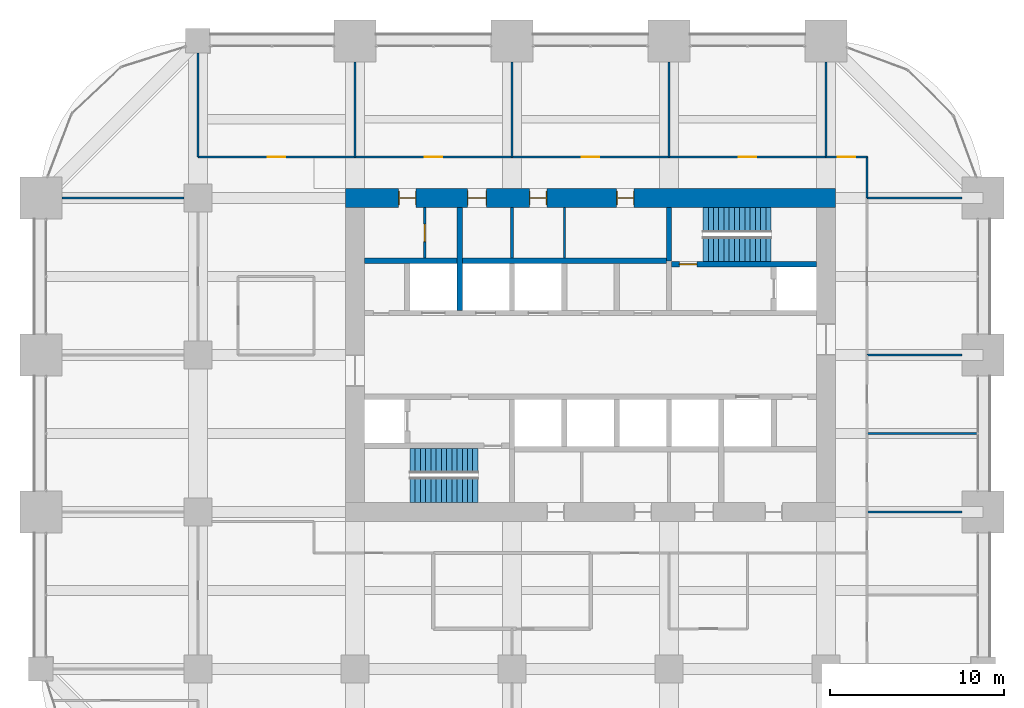
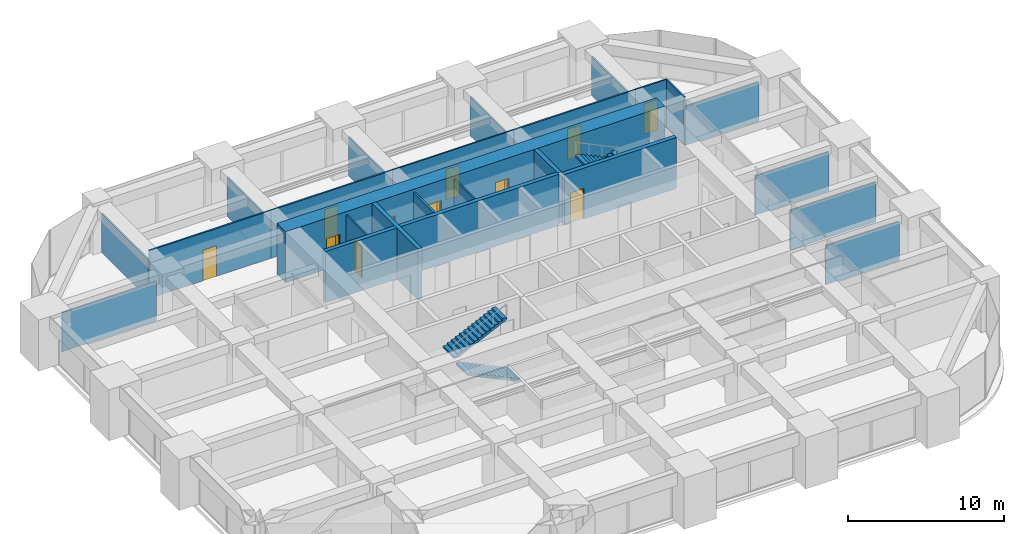
# One storey, part 31 of 32: 24 walls, 11 doors, 4 stair flights, 11 openings, 2 elements without a shape of their own.
"""IFC4 building model written with IfcOpenShell, lengths in metres."""

import ifcopenshell
import ifcopenshell.guid

model = None  # the IFC model being written
_history = None  # IfcOwnerHistory: only IFC2X3 demands one
_inside = {}  # id of a spatial element -> (the spatial element, [elements in it])
_under = {}  # id of a project, library or spatial element -> (it, [spatial elements below it])
_declared = {}  # id of a project -> (the project, [libraries it declares])
_typed = {}  # id of a type object -> (the type object, [elements of that type])
_made_of = {}  # id of a material, layer set ... -> (it, [elements and type objects made of it])


def new_model(schema):
    """Start an empty IFC model of exactly this schema.

    Asked for "IFC4X3", IfcOpenShell would pick the latest addendum, in which some entities
    have other attributes; the version numbers below select the first issue.
    IFC2X3 requires an IfcOwnerHistory on every rooted entity: one is made here for all.
    """
    global model, _history
    if schema == "IFC4X3":
        model = ifcopenshell.file(schema_version=(4, 3, 0, 0))
    else:
        model = ifcopenshell.file(schema=schema)
    _inside.clear()
    _under.clear()
    _declared.clear()
    _typed.clear()
    _made_of.clear()
    _history = None
    if model.schema == "IFC2X3":
        org = make("IfcOrganization", Name="unknown")
        user = make(
            "IfcPersonAndOrganization",
            ThePerson=make("IfcPerson", FamilyName="unknown"),
            TheOrganization=org,
        )
        app = make(
            "IfcApplication",
            ApplicationDeveloper=org,
            Version="unknown",
            ApplicationFullName="unknown",
            ApplicationIdentifier="unknown",
        )
        _history = make(
            "IfcOwnerHistory",
            OwningUser=user,
            OwningApplication=app,
            ChangeAction="ADDED",
            CreationDate=0,
        )
    return model


def make(cls, **values):
    """One entity of the class cls with the attributes given. An attribute that is None is left unset."""
    return model.create_entity(
        cls, **{name: value for name, value in values.items() if value is not None}
    )


def rooted(cls, **values):
    """An entity with a GlobalId (a new one), such as an element, a storey or a relation."""
    return make(cls, GlobalId=ifcopenshell.guid.new(), OwnerHistory=_history, **values)


def si_unit(unit_type, name, prefix=None):
    """IfcSIUnit, for example si_unit("LENGTHUNIT", "METRE", prefix="MILLI")."""
    return make("IfcSIUnit", UnitType=unit_type, Prefix=prefix, Name=name)


def assignment(units):
    """IfcUnitAssignment: the units of a project."""
    return None if units is None else make("IfcUnitAssignment", Units=units)


def point(xyz):
    """IfcCartesianPoint."""
    return None if xyz is None else make("IfcCartesianPoint", Coordinates=xyz)


def direction(xyz):
    """IfcDirection."""
    return None if xyz is None else make("IfcDirection", DirectionRatios=xyz)


def frame(location, z_axis=None, x_axis=None):
    """IfcAxis2Placement3D, a coordinate frame: its origin and axes. An axis left out is left unset."""
    return make(
        "IfcAxis2Placement3D",
        Location=point(location),
        Axis=direction(z_axis),
        RefDirection=direction(x_axis),
    )


def frame_2d(location, x_axis=None):
    """IfcAxis2Placement2D, a coordinate frame in the plane: its origin and x axis."""
    return make(
        "IfcAxis2Placement2D", Location=point(location), RefDirection=direction(x_axis)
    )


def origin():
    """The frame at (0, 0, 0) with its axes left unset."""
    return frame((0.0, 0.0, 0.0))


def place(relative_to, where):
    """IfcLocalPlacement: puts the frame where relative to a parent placement (None: the world)."""
    return make(
        "IfcLocalPlacement", PlacementRelTo=relative_to, RelativePlacement=where
    )


def context(
    kind, dimensions, precision=None, world=None, true_north=None, identifier=None
):
    """IfcGeometricRepresentationContext, for example the 3D "Model" context."""
    return make(
        "IfcGeometricRepresentationContext",
        ContextIdentifier=identifier,
        ContextType=kind,
        CoordinateSpaceDimension=dimensions,
        Precision=precision,
        WorldCoordinateSystem=world,
        TrueNorth=true_north,
    )


def subcontext(parent, identifier, kind, view, scale=None):
    """IfcGeometricRepresentationSubContext, for example "Body" below "Model"."""
    return make(
        "IfcGeometricRepresentationSubContext",
        ContextIdentifier=identifier,
        ContextType=kind,
        ParentContext=parent,
        TargetScale=scale,
        TargetView=view,
    )


def project(units=None, contexts=None):
    """IfcProject with its units and contexts."""
    return rooted(
        "IfcProject",
        Name="project",
        RepresentationContexts=contexts,
        UnitsInContext=assignment(units),
    )


def spatial(cls, under=None, at=None, **own):
    """A site, building, storey or space (cls), placed at a placement, below another one or the project."""
    s = rooted(cls, ObjectPlacement=at, **own)
    if under is not None:
        _under.setdefault(under.id(), (under, []))[1].append(s)
    return s


def polyline(points):
    """IfcPolyline through the points."""
    return make("IfcPolyline", Points=[point(p) for p in points])


def profile(cls, at=None, kind="AREA", **sizes):
    """A parametric profile (cls). Its sizes go by their IFC names, for example OverallWidth=200.0."""
    return make(cls, ProfileType=kind, Position=at, **sizes)


def rectangle(**sizes):
    """IfcRectangleProfileDef."""
    return profile("IfcRectangleProfileDef", **sizes)


def outline(outer, holes=None, kind="AREA"):
    """IfcArbitraryClosedProfileDef: a profile drawn as a closed curve; with holes, ...WithVoids."""
    if holes is None:
        return make("IfcArbitraryClosedProfileDef", ProfileType=kind, OuterCurve=outer)
    return make(
        "IfcArbitraryProfileDefWithVoids",
        ProfileType=kind,
        OuterCurve=outer,
        InnerCurves=holes,
    )


def extrude(swept, where, along, depth):
    """IfcExtrudedAreaSolid: the profile swept, set in the frame where, extruded along a direction by depth."""
    return make(
        "IfcExtrudedAreaSolid",
        SweptArea=swept,
        Position=where,
        ExtrudedDirection=direction(along),
        Depth=depth,
    )


def shape(context_of_items, identifier, shape_type, items):
    """IfcShapeRepresentation: the items that make up one representation, for example the "Body"."""
    return make(
        "IfcShapeRepresentation",
        ContextOfItems=context_of_items,
        RepresentationIdentifier=identifier,
        RepresentationType=shape_type,
        Items=items,
    )


def material(Name=None, Category=None):
    """IfcMaterial."""
    return make("IfcMaterial", Name=Name, Category=Category)


def layer(
    of_material, thickness, ventilated=None, Name=None, Category=None, Priority=None
):
    """IfcMaterialLayer: one layer of a wall or slab, of a material (None: an air gap)."""
    return make(
        "IfcMaterialLayer",
        Material=of_material,
        LayerThickness=thickness,
        IsVentilated=ventilated,
        Name=Name,
        Category=Category,
        Priority=Priority,
    )


def layer_set(layers, Name=None):
    """IfcMaterialLayerSet."""
    return make("IfcMaterialLayerSet", MaterialLayers=layers, LayerSetName=Name)


def made_of(thing, what):
    """Note that an element or type object is made of a material, layer set ...; save() writes the relation."""
    if what is not None:
        _made_of.setdefault(what.id(), (what, []))[1].append(thing)
    return thing


def type_object(cls, material=None, **own):
    """A type object (cls), such as IfcWallType, which elements share."""
    return made_of(rooted(cls, **own), material)


def element(
    cls,
    number,
    at=None,
    inside=None,
    cuts=None,
    type_object=None,
    material=None,
    context=None,
    identifier="Body",
    shape_type=None,
    held_by="IfcProductDefinitionShape",
    body=None,
    shapes=None,
    **own,
):
    """One element of the class cls, such as IfcWall. Its Tag is "e" and its number.

    at: its placement. inside: the storey or other place that contains it. cuts: it is an
    opening in that element (IfcRelVoidsElement). A single representation is given by context,
    identifier, shape_type and body (its items); several are given by shapes. held_by: the class
    of the entity that holds the representations. save() writes the other relations.
    """
    e = rooted(cls, Tag="e%d" % number, ObjectPlacement=at, **own)
    if body is not None:
        shapes = [shape(context, identifier, shape_type, body)]
    if shapes is not None:
        e.Representation = make(held_by, Representations=shapes)
    if inside is not None:
        _inside.setdefault(inside.id(), (inside, []))[1].append(e)
    if cuts is not None:
        rooted(
            "IfcRelVoidsElement", RelatingBuildingElement=cuts, RelatedOpeningElement=e
        )
    if type_object is not None:
        _typed.setdefault(type_object.id(), (type_object, []))[1].append(e)
    return made_of(e, material)


def fill(opening, filler):
    """IfcRelFillsElement: the door or window that sits in an opening."""
    return rooted(
        "IfcRelFillsElement",
        RelatingOpeningElement=opening,
        RelatedBuildingElement=filler,
    )


def aggregate(whole, parts):
    """IfcRelAggregates: a whole, such as a stair, and the parts it consists of."""
    return rooted("IfcRelAggregates", RelatingObject=whole, RelatedObjects=parts)


def save(model, path):
    """Write the relations noted so far, then the file.

    IfcRelAggregates (storeys below a building ...), IfcRelContainedInSpatialStructure (elements
    in a storey), IfcRelDefinesByType, IfcRelAssociatesMaterial and IfcRelDeclares: one each for
    every whole, place, type object, material and project.
    """
    for whole, parts in _under.values():
        aggregate(whole, parts)
    for where, things in _inside.values():
        rooted(
            "IfcRelContainedInSpatialStructure",
            RelatedElements=things,
            RelatingStructure=where,
        )
    for kind, things in _typed.values():
        rooted("IfcRelDefinesByType", RelatedObjects=things, RelatingType=kind)
    for what, things in _made_of.values():
        rooted("IfcRelAssociatesMaterial", RelatedObjects=things, RelatingMaterial=what)
    for by, libraries in _declared.values():
        rooted("IfcRelDeclares", RelatingContext=by, RelatedDefinitions=libraries)
    model.write(path)


model = new_model("IFC4")

# Units and contexts
model_context = context("Model", 3, precision=1e-05, world=origin(), true_north=direction((0.0, 1.0)))
body_context = subcontext(model_context, "Body", "Model", "MODEL_VIEW")
ifc_project = project(units=[si_unit("LENGTHUNIT", "METRE"), si_unit("AREAUNIT", "SQUARE_METRE"), si_unit("VOLUMEUNIT", "CUBIC_METRE"), si_unit("PLANEANGLEUNIT", "RADIAN"), si_unit("MASSUNIT", "GRAM", prefix="KILO")], contexts=[model_context])

# Site, building, storey
site_placement = place(None, origin())
site = spatial("IfcSite", under=ifc_project, at=site_placement, CompositionType="ELEMENT")
building_placement = place(site_placement, origin())
building = spatial("IfcBuilding", under=site, at=building_placement, Name="Zorevar Civic Tower", CompositionType="ELEMENT")
storey_placement = place(building_placement, frame((0.0, 0.0, 190.199951171875)))
storey = spatial("IfcBuildingStorey", under=building, at=storey_placement, Name="L46", CompositionType="ELEMENT", Elevation=190.199951171875)

# Wall, openings, doors
ifc_material_1 = material(Name="Concrete C50/60", Category="concrete")
ifc_layer_1 = layer(ifc_material_1, 1.10009765625)
ifc_layer_set_1 = layer_set([ifc_layer_1], Name="Core wall 1100")
wall_type_1 = type_object("IfcWallType", Name="Core wall 1100", PredefinedType="SHEAR", material=ifc_layer_set_1)
wall_1_placement = place(storey_placement, frame((45.550048828125, 36.0, 0.0), z_axis=(0.0, 0.0, 1.0), x_axis=(-1.0, 0.0, 0.0)))
wall_1 = element("IfcWall", 1, at=wall_1_placement, inside=storey, type_object=wall_type_1, Name="Core wall N L46", PredefinedType="SHEAR", context=body_context, shape_type="SweptSolid", body=[
    extrude(rectangle(XDim=28.10009765625, YDim=1.10009765625, at=frame_2d((14.050048828125, 0.0))), origin(), (0.0, 0.0, 1.0), 4.0),
])
opening_1_placement = place(wall_1_placement, frame((11.550048828125, 0.0, 0.0)))
opening_1 = element("IfcOpeningElement", 2, at=opening_1_placement, cuts=wall_1, Name="Opening L46.07", PredefinedType="OPENING", context=body_context, shape_type="SweptSolid", body=[
    extrude(rectangle(XDim=1.0, YDim=2.39990234375, at=frame_2d((0.5, 1.199951171875))), frame((0.0, 0.56005859375, 0.0), z_axis=(0.0, -1.0, 0.0), x_axis=(1.0, 0.0, 0.0)), (0.0, 0.0, 1.0), 1.1201171875),
])
opening_2_placement = place(wall_1_placement, frame((16.550048828125, 0.0, 0.0)))
opening_2 = element("IfcOpeningElement", 3, at=opening_2_placement, cuts=wall_1, Name="Opening L46.08", PredefinedType="OPENING", context=body_context, shape_type="SweptSolid", body=[
    extrude(rectangle(XDim=1.0, YDim=2.39990234375, at=frame_2d((0.5, 1.199951171875))), frame((0.0, 0.56005859375, 0.0), z_axis=(0.0, -1.0, 0.0), x_axis=(1.0, 0.0, 0.0)), (0.0, 0.0, 1.0), 1.1201171875),
])
opening_3_placement = place(wall_1_placement, frame((20.0, 0.0, 0.0)))
opening_3 = element("IfcOpeningElement", 4, at=opening_3_placement, cuts=wall_1, Name="Opening L46.09", PredefinedType="OPENING", context=body_context, shape_type="SweptSolid", body=[
    extrude(rectangle(XDim=1.10009765625, YDim=2.39990234375, at=frame_2d((0.550048828125, 1.199951171875))), frame((0.0, 0.56005859375, 0.0), z_axis=(0.0, -1.0, 0.0), x_axis=(1.0, 0.0, 0.0)), (0.0, 0.0, 1.0), 1.1201171875),
])
opening_4_placement = place(wall_1_placement, frame((24.050048828125, 0.0, 0.0)))
opening_4 = element("IfcOpeningElement", 5, at=opening_4_placement, cuts=wall_1, Name="Opening L46.10", PredefinedType="OPENING", context=body_context, shape_type="SweptSolid", body=[
    extrude(rectangle(XDim=1.0, YDim=2.39990234375, at=frame_2d((0.5, 1.199951171875))), frame((0.0, 0.56005859375, 0.0), z_axis=(0.0, -1.0, 0.0), x_axis=(1.0, 0.0, 0.0)), (0.0, 0.0, 1.0), 1.1201171875),
])
ifc_material_2 = material(Name="Timber door set", Category="wood")
door_type_1 = type_object("IfcDoorType", Name="Door D1 1000x2400", OperationType="SINGLE_SWING_LEFT", PredefinedType="DOOR", material=ifc_material_2)
door_1_placement = place(opening_1_placement, origin())
door_1 = element("IfcDoor", 6, at=door_1_placement, inside=storey, type_object=door_type_1, Name="Door L46 06", OperationType="SINGLE_SWING_RIGHT", OverallHeight=2.39990234375, OverallWidth=1.0, PredefinedType="DOOR", context=body_context, shape_type="SweptSolid", body=[
    extrude(rectangle(XDim=1.0, YDim=2.39990234375, at=frame_2d((0.5, 1.199951171875))), frame((0.0, 0.02490234375, 0.0), z_axis=(0.0, -1.0, 0.0), x_axis=(1.0, 0.0, 0.0)), (0.0, 0.0, 1.0), 0.050048828125),
    extrude(rectangle(XDim=0.04, YDim=2.39990234375, at=frame_2d((0.02001953125, 1.199951171875))), frame((0.0, 0.39990234375, 0.0), z_axis=(0.0, -1.0, 0.0), x_axis=(1.0, 0.0, 0.0)), (0.0, 0.0, 1.0), 0.800048828125),
    extrude(rectangle(XDim=0.04, YDim=2.39990234375, at=frame_2d((0.97998046875, 1.199951171875))), frame((0.0, 0.39990234375, 0.0), z_axis=(0.0, -1.0, 0.0), x_axis=(1.0, 0.0, 0.0)), (0.0, 0.0, 1.0), 0.800048828125),
    extrude(rectangle(XDim=1.0, YDim=0.04, at=frame_2d((0.5, 2.3798828125))), frame((0.0, 0.39990234375, 0.0), z_axis=(0.0, -1.0, 0.0), x_axis=(1.0, 0.0, 0.0)), (0.0, 0.0, 1.0), 0.800048828125),
])
fill(opening_1, door_1)
door_2_placement = place(opening_2_placement, origin())
door_2 = element("IfcDoor", 7, at=door_2_placement, inside=storey, type_object=door_type_1, Name="Door L46 07", OperationType="SINGLE_SWING_LEFT", OverallHeight=2.39990234375, OverallWidth=1.0, PredefinedType="DOOR", context=body_context, shape_type="SweptSolid", body=[
    extrude(rectangle(XDim=1.0, YDim=2.39990234375, at=frame_2d((0.5, 1.199951171875))), frame((0.0, 0.02490234375, 0.0), z_axis=(0.0, -1.0, 0.0), x_axis=(1.0, 0.0, 0.0)), (0.0, 0.0, 1.0), 0.050048828125),
    extrude(rectangle(XDim=0.04, YDim=2.39990234375, at=frame_2d((0.02001953125, 1.199951171875))), frame((0.0, 0.39990234375, 0.0), z_axis=(0.0, -1.0, 0.0), x_axis=(1.0, 0.0, 0.0)), (0.0, 0.0, 1.0), 0.800048828125),
    extrude(rectangle(XDim=0.04, YDim=2.39990234375, at=frame_2d((0.97998046875, 1.199951171875))), frame((0.0, 0.39990234375, 0.0), z_axis=(0.0, -1.0, 0.0), x_axis=(1.0, 0.0, 0.0)), (0.0, 0.0, 1.0), 0.800048828125),
    extrude(rectangle(XDim=1.0, YDim=0.04, at=frame_2d((0.5, 2.3798828125))), frame((0.0, 0.39990234375, 0.0), z_axis=(0.0, -1.0, 0.0), x_axis=(1.0, 0.0, 0.0)), (0.0, 0.0, 1.0), 0.800048828125),
])
fill(opening_2, door_2)
door_3_placement = place(opening_4_placement, origin())
door_3 = element("IfcDoor", 8, at=door_3_placement, inside=storey, type_object=door_type_1, Name="Door L46 09", OperationType="SINGLE_SWING_LEFT", OverallHeight=2.39990234375, OverallWidth=1.0, PredefinedType="DOOR", context=body_context, shape_type="SweptSolid", body=[
    extrude(rectangle(XDim=1.0, YDim=2.39990234375, at=frame_2d((0.5, 1.199951171875))), frame((0.0, 0.02490234375, 0.0), z_axis=(0.0, -1.0, 0.0), x_axis=(1.0, 0.0, 0.0)), (0.0, 0.0, 1.0), 0.050048828125),
    extrude(rectangle(XDim=0.04, YDim=2.39990234375, at=frame_2d((0.02001953125, 1.199951171875))), frame((0.0, 0.39990234375, 0.0), z_axis=(0.0, -1.0, 0.0), x_axis=(1.0, 0.0, 0.0)), (0.0, 0.0, 1.0), 0.800048828125),
    extrude(rectangle(XDim=0.04, YDim=2.39990234375, at=frame_2d((0.97998046875, 1.199951171875))), frame((0.0, 0.39990234375, 0.0), z_axis=(0.0, -1.0, 0.0), x_axis=(1.0, 0.0, 0.0)), (0.0, 0.0, 1.0), 0.800048828125),
    extrude(rectangle(XDim=1.0, YDim=0.04, at=frame_2d((0.5, 2.3798828125))), frame((0.0, 0.39990234375, 0.0), z_axis=(0.0, -1.0, 0.0), x_axis=(1.0, 0.0, 0.0)), (0.0, 0.0, 1.0), 0.800048828125),
])
fill(opening_4, door_3)
ifc_material_3 = material(Name="Timber door set", Category="wood")
door_type_2 = type_object("IfcDoorType", Name="Door D5 1100x2400", OperationType="SINGLE_SWING_LEFT", PredefinedType="DOOR", material=ifc_material_3)
door_4_placement = place(opening_3_placement, origin())
door_4 = element("IfcDoor", 9, at=door_4_placement, inside=storey, type_object=door_type_2, Name="Door L46 08", OperationType="SINGLE_SWING_LEFT", OverallHeight=2.39990234375, OverallWidth=1.10009765625, PredefinedType="DOOR", context=body_context, shape_type="SweptSolid", body=[
    extrude(rectangle(XDim=1.10009765625, YDim=2.39990234375, at=frame_2d((0.550048828125, 1.199951171875))), frame((0.0, 0.02490234375, 0.0), z_axis=(0.0, -1.0, 0.0), x_axis=(1.0, 0.0, 0.0)), (0.0, 0.0, 1.0), 0.050048828125),
    extrude(rectangle(XDim=0.04, YDim=2.39990234375, at=frame_2d((0.02001953125, 1.199951171875))), frame((0.0, 0.43994140625, 0.0), z_axis=(0.0, -1.0, 0.0), x_axis=(1.0, 0.0, 0.0)), (0.0, 0.0, 1.0), 0.880126953125),
    extrude(rectangle(XDim=0.04, YDim=2.39990234375, at=frame_2d((1.080078125, 1.199951171875))), frame((0.0, 0.43994140625, 0.0), z_axis=(0.0, -1.0, 0.0), x_axis=(1.0, 0.0, 0.0)), (0.0, 0.0, 1.0), 0.880126953125),
    extrude(rectangle(XDim=1.10009765625, YDim=0.04, at=frame_2d((0.550048828125, 2.3798828125))), frame((0.0, 0.43994140625, 0.0), z_axis=(0.0, -1.0, 0.0), x_axis=(1.0, 0.0, 0.0)), (0.0, 0.0, 1.0), 0.880126953125),
])
fill(opening_3, door_4)

# Wall, opening, door
ifc_material_4 = material(Name="Laminated glass in black aluminium frame", Category="aluminium")
ifc_layer_2 = layer(ifc_material_4, 0.10009765625)
ifc_layer_set_2 = layer_set([ifc_layer_2], Name="Glazed partition 100")
wall_type_2 = type_object("IfcWallType", Name="Glazed partition 100", PredefinedType="PARTITIONING", material=ifc_layer_set_2)
wall_2_placement = place(storey_placement, frame((27.0, 38.35009765625, 0.0), z_axis=(0.0, 0.0, 1.0), x_axis=(1.0, 0.0, 0.0)))
wall_2 = element("IfcWall", 10, at=wall_2_placement, inside=storey, type_object=wall_type_2, Name="Glazed partition 100 L46", PredefinedType="PARTITIONING", context=body_context, shape_type="SweptSolid", body=[
    extrude(rectangle(XDim=9.0, YDim=0.10009765625, at=frame_2d((4.5, 0.0))), origin(), (0.0, 0.0, 1.0), 3.75),
])
opening_5_placement = place(wall_2_placement, frame((4.0, 0.0, 0.0)))
opening_5 = element("IfcOpeningElement", 11, at=opening_5_placement, cuts=wall_2, Name="Opening L46.25", PredefinedType="OPENING", context=body_context, shape_type="SweptSolid", body=[
    extrude(rectangle(XDim=1.0, YDim=2.39990234375, at=frame_2d((0.5, 1.199951171875))), frame((0.0, 0.06005859375, 0.0), z_axis=(0.0, -1.0, 0.0), x_axis=(1.0, 0.0, 0.0)), (0.0, 0.0, 1.0), 0.1201171875),
])
ifc_material_5 = material(Name="Timber door set", Category="wood")
door_type_3 = type_object("IfcDoorType", Name="Glazed door GD1 1000x2400", OperationType="SINGLE_SWING_LEFT", PredefinedType="DOOR", material=ifc_material_5)
door_5_placement = place(opening_5_placement, origin())
door_5 = element("IfcDoor", 12, at=door_5_placement, inside=storey, type_object=door_type_3, Name="Door L46 D1", OperationType="SINGLE_SWING_RIGHT", OverallHeight=2.39990234375, OverallWidth=1.0, PredefinedType="DOOR", context=body_context, shape_type="SweptSolid", body=[
    extrude(rectangle(XDim=1.0, YDim=2.39990234375, at=frame_2d((0.5, 1.199951171875))), frame((0.0, 0.02001953125, 0.0), z_axis=(0.0, -1.0, 0.0), x_axis=(1.0, 0.0, 0.0)), (0.0, 0.0, 1.0), 0.0400390625),
])
fill(opening_5, door_5)

wall_3_placement = place(storey_placement, frame((45.0, 38.35009765625, 0.0), z_axis=(0.0, 0.0, 1.0), x_axis=(1.0, 0.0, 0.0)))
wall_3 = element("IfcWall", 13, at=wall_3_placement, inside=storey, type_object=wall_type_2, Name="Glazed partition 100 L46", PredefinedType="PARTITIONING", context=body_context, shape_type="SweptSolid", body=[
    extrude(rectangle(XDim=2.35009765625, YDim=0.10009765625, at=frame_2d((1.175048828125, 0.0))), origin(), (0.0, 0.0, 1.0), 3.75),
])
opening_6_placement = place(wall_3_placement, frame((0.675048828125, 0.0, 0.0)))
opening_6 = element("IfcOpeningElement", 14, at=opening_6_placement, cuts=wall_3, Name="Opening L46.26", PredefinedType="OPENING", context=body_context, shape_type="SweptSolid", body=[
    extrude(rectangle(XDim=1.0, YDim=2.39990234375, at=frame_2d((0.5, 1.199951171875))), frame((0.0, 0.06005859375, 0.0), z_axis=(0.0, -1.0, 0.0), x_axis=(1.0, 0.0, 0.0)), (0.0, 0.0, 1.0), 0.1201171875),
])
door_6_placement = place(opening_6_placement, origin())
door_6 = element("IfcDoor", 15, at=door_6_placement, inside=storey, type_object=door_type_3, Name="Door L46 D1", OperationType="SINGLE_SWING_RIGHT", OverallHeight=2.39990234375, OverallWidth=1.0, PredefinedType="DOOR", context=body_context, shape_type="SweptSolid", body=[
    extrude(rectangle(XDim=1.0, YDim=2.39990234375, at=frame_2d((0.5, 1.199951171875))), frame((0.0, 0.02001953125, 0.0), z_axis=(0.0, -1.0, 0.0), x_axis=(1.0, 0.0, 0.0)), (0.0, 0.0, 1.0), 0.0400390625),
])
fill(opening_6, door_6)

# Wall
wall_4_placement = place(storey_placement, frame((47.35009765625, 36.0, 0.0), z_axis=(0.0, 0.0, 1.0), x_axis=(0.0, 1.0, 0.0)))
element("IfcWall", 16, at=wall_4_placement, inside=storey, type_object=wall_type_2, Name="Glazed partition 100 L46", PredefinedType="PARTITIONING", context=body_context, shape_type="SweptSolid", body=[
    extrude(rectangle(XDim=2.35009765625, YDim=0.10009765625, at=frame_2d((1.175048828125, 0.0))), origin(), (0.0, 0.0, 1.0), 3.75),
])

# Wall, opening, door
ifc_material_6 = material(Name="Concrete C40/50", Category="concrete")
ifc_layer_3 = layer(ifc_material_6, 0.300048828125)
ifc_layer_set_3 = layer_set([ifc_layer_3], Name="Inner core wall 300")
wall_type_3 = type_object("IfcWallType", Name="Inner core wall 300", PredefinedType="SHEAR", material=ifc_layer_set_3)
wall_5_placement = place(storey_placement, frame((36.14990234375, 32.199951171875, 0.0), z_axis=(0.0, 0.0, 1.0), x_axis=(1.0, 0.0, 0.0)))
wall_5 = element("IfcWall", 17, at=wall_5_placement, inside=storey, type_object=wall_type_3, Name="Inner core wall N00 L46", PredefinedType="SHEAR", context=body_context, shape_type="SweptSolid", body=[
    extrude(rectangle(XDim=8.300048828125, YDim=0.300048828125, at=frame_2d((4.14990234375, 0.0))), origin(), (0.0, 0.0, 1.0), 4.0),
])
opening_7_placement = place(wall_5_placement, frame((0.449951171875, 0.0, 0.0)))
opening_7 = element("IfcOpeningElement", 18, at=opening_7_placement, cuts=wall_5, Name="Opening L46.12", PredefinedType="OPENING", context=body_context, shape_type="SweptSolid", body=[
    extrude(rectangle(XDim=1.0, YDim=2.39990234375, at=frame_2d((0.5, 1.199951171875))), frame((0.0, 0.159912109375, 0.0), z_axis=(0.0, -1.0, 0.0), x_axis=(1.0, 0.0, 0.0)), (0.0, 0.0, 1.0), 0.320068359375),
])
ifc_material_7 = material(Name="Steel door set", Category="steel")
door_type_4 = type_object("IfcDoorType", Name="Fire door FD1 1000x2400", OperationType="SINGLE_SWING_LEFT", PredefinedType="DOOR", material=ifc_material_7)
door_7_placement = place(opening_7_placement, origin())
door_7 = element("IfcDoor", 19, at=door_7_placement, inside=storey, type_object=door_type_4, Name="Door L46 11", OperationType="SINGLE_SWING_RIGHT", OverallHeight=2.39990234375, OverallWidth=1.0, PredefinedType="DOOR", context=body_context, shape_type="SweptSolid", body=[
    extrude(rectangle(XDim=1.0, YDim=2.39990234375, at=frame_2d((0.5, 1.199951171875))), frame((0.0, 0.030029296875, 0.0), z_axis=(0.0, -1.0, 0.0), x_axis=(1.0, 0.0, 0.0)), (0.0, 0.0, 1.0), 0.06005859375),
])
fill(opening_7, door_7)

# Walls
wall_6_placement = place(storey_placement, frame((36.0, 32.39990234375, 0.0), z_axis=(0.0, 0.0, 1.0), x_axis=(0.0, 1.0, 0.0)))
element("IfcWall", 20, at=wall_6_placement, inside=storey, type_object=wall_type_3, Name="Inner core wall N01 L46", PredefinedType="SHEAR", context=body_context, shape_type="SweptSolid", body=[
    extrude(rectangle(XDim=3.050048828125, YDim=0.300048828125, at=frame_2d((1.52490234375, 0.0))), origin(), (0.0, 0.0, 1.0), 4.0),
])
wall_7_placement = place(storey_placement, frame((18.550048828125, 32.39990234375, 0.0), z_axis=(0.0, 0.0, 1.0), x_axis=(1.0, 0.0, 0.0)))
element("IfcWall", 21, at=wall_7_placement, inside=storey, type_object=wall_type_3, Name="Inner core wall N04 L46", PredefinedType="SHEAR", context=body_context, shape_type="SweptSolid", body=[
    extrude(rectangle(XDim=17.300048828125, YDim=0.300048828125, at=frame_2d((8.64990234375, 0.0))), origin(), (0.0, 0.0, 1.0), 4.0),
])
wall_8_placement = place(storey_placement, frame((24.0, 29.550048828125, 0.0), z_axis=(0.0, 0.0, 1.0), x_axis=(0.0, 1.0, 0.0)))
element("IfcWall", 22, at=wall_8_placement, inside=storey, type_object=wall_type_3, Name="Inner core wall N08 L46", PredefinedType="SHEAR", context=body_context, shape_type="SweptSolid", body=[
    extrude(rectangle(XDim=5.89990234375, YDim=0.300048828125, at=frame_2d((2.949951171875, 0.0))), origin(), (0.0, 0.0, 1.0), 4.0),
])
ifc_material_8 = material(Name="Gypsum board on steel studs", Category="steel")
ifc_layer_4 = layer(ifc_material_8, 0.1201171875)
ifc_layer_set_4 = layer_set([ifc_layer_4], Name="Partition 120")
wall_type_4 = type_object("IfcWallType", Name="Partition 120", PredefinedType="PARTITIONING", material=ifc_layer_set_4)
wall_9_placement = place(storey_placement, frame((47.35009765625, 18.0, 0.0), z_axis=(0.0, 0.0, 1.0), x_axis=(1.0, 0.0, 0.0)))
element("IfcWall", 23, at=wall_9_placement, inside=storey, type_object=wall_type_4, Name="Partition 120 L46", PredefinedType="PARTITIONING", context=body_context, shape_type="SweptSolid", body=[
    extrude(rectangle(XDim=5.449951171875, YDim=0.1201171875, at=frame_2d((2.72509765625, 0.0))), origin(), (0.0, 0.0, 1.0), 3.050048828125),
])
wall_10_placement = place(storey_placement, frame((47.35009765625, 22.5, 0.0), z_axis=(0.0, 0.0, 1.0), x_axis=(1.0, 0.0, 0.0)))
element("IfcWall", 24, at=wall_10_placement, inside=storey, type_object=wall_type_4, Name="Partition 120 L46", PredefinedType="PARTITIONING", context=body_context, shape_type="SweptSolid", body=[
    extrude(rectangle(XDim=6.33984375, YDim=0.1201171875, at=frame_2d((3.169921875, 0.0))), origin(), (0.0, 0.0, 1.0), 3.10009765625),
])
for number, where, z_axis, x_axis, name in (
    (25, (47.35009765625, 27.0, 0.0), (0.0, 0.0, 1.0), (1.0, 0.0, 0.0), "Partition 120 L46"),
    (26, (47.35009765625, 36.0, 0.0), (0.0, 0.0, 1.0), (1.0, 0.0, 0.0), "Partition 120 L46"),
):
    element("IfcWall", number, at=place(storey_placement, frame(where, z_axis=z_axis, x_axis=x_axis)), inside=storey, type_object=wall_type_4, Name=name, PredefinedType="PARTITIONING", context=body_context, shape_type="SweptSolid", body=[
        extrude(rectangle(XDim=5.449951171875, YDim=0.1201171875, at=frame_2d((2.72509765625, 0.0))), origin(), (0.0, 0.0, 1.0), 3.050048828125),
    ])
wall_11_placement = place(storey_placement, frame((1.199951171875, 36.0, 0.0), z_axis=(0.0, 0.0, 1.0), x_axis=(1.0, 0.0, 0.0)))
element("IfcWall", 27, at=wall_11_placement, inside=storey, type_object=wall_type_4, Name="Partition 120 L46", PredefinedType="PARTITIONING", context=body_context, shape_type="SweptSolid", body=[
    extrude(rectangle(XDim=7.0, YDim=0.1201171875, at=frame_2d((3.5, 0.0))), origin(), (0.0, 0.0, 1.0), 3.050048828125),
])

# Wall, opening, door
wall_12_placement = place(storey_placement, frame((9.0, 38.35009765625, 0.0), z_axis=(0.0, 0.0, 1.0), x_axis=(1.0, 0.0, 0.0)))
wall_12 = element("IfcWall", 28, at=wall_12_placement, inside=storey, type_object=wall_type_4, Name="Partition 120 L46", PredefinedType="PARTITIONING", context=body_context, shape_type="SweptSolid", body=[
    extrude(rectangle(XDim=9.0, YDim=0.1201171875, at=frame_2d((4.5, 0.0))), origin(), (0.0, 0.0, 1.0), 3.75),
])
opening_8_placement = place(wall_12_placement, frame((4.0, 0.0, 0.0)))
opening_8 = element("IfcOpeningElement", 29, at=opening_8_placement, cuts=wall_12, Name="Opening L46.22", PredefinedType="OPENING", context=body_context, shape_type="SweptSolid", body=[
    extrude(rectangle(XDim=1.0, YDim=2.39990234375, at=frame_2d((0.5, 1.199951171875))), frame((0.0, 0.070068359375, 0.0), z_axis=(0.0, -1.0, 0.0), x_axis=(1.0, 0.0, 0.0)), (0.0, 0.0, 1.0), 0.14013671875),
])
door_8_placement = place(opening_8_placement, origin())
door_8 = element("IfcDoor", 30, at=door_8_placement, inside=storey, type_object=door_type_1, Name="Door L46 D1", OperationType="SINGLE_SWING_RIGHT", OverallHeight=2.39990234375, OverallWidth=1.0, PredefinedType="DOOR", context=body_context, shape_type="SweptSolid", body=[
    extrude(rectangle(XDim=1.0, YDim=2.39990234375, at=frame_2d((0.5, 1.199951171875))), frame((0.0, 0.02490234375, 0.0), z_axis=(0.0, -1.0, 0.0), x_axis=(1.0, 0.0, 0.0)), (0.0, 0.0, 1.0), 0.050048828125),
])
fill(opening_8, door_8)

wall_13_placement = place(storey_placement, frame((18.0, 38.35009765625, 0.0), z_axis=(0.0, 0.0, 1.0), x_axis=(1.0, 0.0, 0.0)))
wall_13 = element("IfcWall", 31, at=wall_13_placement, inside=storey, type_object=wall_type_4, Name="Partition 120 L46", PredefinedType="PARTITIONING", context=body_context, shape_type="SweptSolid", body=[
    extrude(rectangle(XDim=9.0, YDim=0.1201171875, at=frame_2d((4.5, 0.0))), origin(), (0.0, 0.0, 1.0), 3.75),
])
opening_9_placement = place(wall_13_placement, frame((4.0, 0.0, 0.0)))
opening_9 = element("IfcOpeningElement", 32, at=opening_9_placement, cuts=wall_13, Name="Opening L46.23", PredefinedType="OPENING", context=body_context, shape_type="SweptSolid", body=[
    extrude(rectangle(XDim=1.0, YDim=2.39990234375, at=frame_2d((0.5, 1.199951171875))), frame((0.0, 0.070068359375, 0.0), z_axis=(0.0, -1.0, 0.0), x_axis=(1.0, 0.0, 0.0)), (0.0, 0.0, 1.0), 0.14013671875),
])
door_9_placement = place(opening_9_placement, origin())
door_9 = element("IfcDoor", 33, at=door_9_placement, inside=storey, type_object=door_type_1, Name="Door L46 D1", OperationType="SINGLE_SWING_RIGHT", OverallHeight=2.39990234375, OverallWidth=1.0, PredefinedType="DOOR", context=body_context, shape_type="SweptSolid", body=[
    extrude(rectangle(XDim=1.0, YDim=2.39990234375, at=frame_2d((0.5, 1.199951171875))), frame((0.0, 0.02490234375, 0.0), z_axis=(0.0, -1.0, 0.0), x_axis=(1.0, 0.0, 0.0)), (0.0, 0.0, 1.0), 0.050048828125),
])
fill(opening_9, door_9)

wall_14_placement = place(storey_placement, frame((36.0, 38.35009765625, 0.0), z_axis=(0.0, 0.0, 1.0), x_axis=(1.0, 0.0, 0.0)))
wall_14 = element("IfcWall", 34, at=wall_14_placement, inside=storey, type_object=wall_type_4, Name="Partition 120 L46", PredefinedType="PARTITIONING", context=body_context, shape_type="SweptSolid", body=[
    extrude(rectangle(XDim=9.0, YDim=0.1201171875, at=frame_2d((4.5, 0.0))), origin(), (0.0, 0.0, 1.0), 3.75),
])
opening_10_placement = place(wall_14_placement, frame((4.0, 0.0, 0.0)))
opening_10 = element("IfcOpeningElement", 35, at=opening_10_placement, cuts=wall_14, Name="Opening L46.24", PredefinedType="OPENING", context=body_context, shape_type="SweptSolid", body=[
    extrude(rectangle(XDim=1.0, YDim=2.39990234375, at=frame_2d((0.5, 1.199951171875))), frame((0.0, 0.070068359375, 0.0), z_axis=(0.0, -1.0, 0.0), x_axis=(1.0, 0.0, 0.0)), (0.0, 0.0, 1.0), 0.14013671875),
])
door_10_placement = place(opening_10_placement, origin())
door_10 = element("IfcDoor", 36, at=door_10_placement, inside=storey, type_object=door_type_1, Name="Door L46 D1", OperationType="SINGLE_SWING_LEFT", OverallHeight=2.39990234375, OverallWidth=1.0, PredefinedType="DOOR", context=body_context, shape_type="SweptSolid", body=[
    extrude(rectangle(XDim=1.0, YDim=2.39990234375, at=frame_2d((0.5, 1.199951171875))), frame((0.0, 0.02490234375, 0.0), z_axis=(0.0, -1.0, 0.0), x_axis=(1.0, 0.0, 0.0)), (0.0, 0.0, 1.0), 0.050048828125),
])
fill(opening_10, door_10)

# Walls
wall_15_placement = place(storey_placement, frame((9.0, 38.35009765625, 0.0), z_axis=(0.0, 0.0, 1.0), x_axis=(0.0, 1.0, 0.0)))
element("IfcWall", 37, at=wall_15_placement, inside=storey, type_object=wall_type_4, Name="Partition 120 L46", PredefinedType="PARTITIONING", context=body_context, shape_type="SweptSolid", body=[
    extrude(rectangle(XDim=5.949951171875, YDim=0.1201171875, at=frame_2d((2.97509765625, 0.0))), origin(), (0.0, 0.0, 1.0), 3.050048828125),
])
for number, where, z_axis, x_axis, name in (
    (38, (18.0, 38.35009765625, 0.0), (0.0, 0.0, 1.0), (0.0, 1.0, 0.0), "Partition 120 L46"),
    (39, (27.0, 38.35009765625, 0.0), (0.0, 0.0, 1.0), (0.0, 1.0, 0.0), "Partition 120 L46"),
    (40, (36.0, 38.35009765625, 0.0), (0.0, 0.0, 1.0), (0.0, 1.0, 0.0), "Partition 120 L46"),
    (41, (45.0, 38.35009765625, 0.0), (0.0, 0.0, 1.0), (0.0, 1.0, 0.0), "Partition 120 L46"),
):
    element("IfcWall", number, at=place(storey_placement, frame(where, z_axis=z_axis, x_axis=x_axis)), inside=storey, type_object=wall_type_4, Name=name, PredefinedType="PARTITIONING", context=body_context, shape_type="SweptSolid", body=[
        extrude(rectangle(XDim=5.449951171875, YDim=0.1201171875, at=frame_2d((2.72509765625, 0.0))), origin(), (0.0, 0.0, 1.0), 3.050048828125),
    ])
wall_16_placement = place(storey_placement, frame((30.0, 32.550048828125, 0.0), z_axis=(0.0, 0.0, 1.0), x_axis=(0.0, 1.0, 0.0)))
element("IfcWall", 42, at=wall_16_placement, inside=storey, type_object=wall_type_4, Name="Partition L46", PredefinedType="PARTITIONING", context=body_context, shape_type="SweptSolid", body=[
    extrude(rectangle(XDim=2.89990234375, YDim=0.1201171875, at=frame_2d((1.449951171875, 0.0))), origin(), (0.0, 0.0, 1.0), 3.75),
])

# Wall, opening, door
wall_17_placement = place(storey_placement, frame((22.0, 32.550048828125, 0.0), z_axis=(0.0, 0.0, 1.0), x_axis=(0.0, 1.0, 0.0)))
wall_17 = element("IfcWall", 43, at=wall_17_placement, inside=storey, type_object=wall_type_4, Name="Partition L46", PredefinedType="PARTITIONING", context=body_context, shape_type="SweptSolid", body=[
    extrude(rectangle(XDim=2.89990234375, YDim=0.1201171875, at=frame_2d((1.449951171875, 0.0))), origin(), (0.0, 0.0, 1.0), 3.75),
])
opening_11_placement = place(wall_17_placement, frame((0.949951171875, 0.0, 0.0)))
opening_11 = element("IfcOpeningElement", 44, at=opening_11_placement, cuts=wall_17, Name="Opening L46.35", PredefinedType="OPENING", context=body_context, shape_type="SweptSolid", body=[
    extrude(rectangle(XDim=1.0, YDim=2.39990234375, at=frame_2d((0.5, 1.199951171875))), frame((0.0, 0.070068359375, 0.0), z_axis=(0.0, -1.0, 0.0), x_axis=(1.0, 0.0, 0.0)), (0.0, 0.0, 1.0), 0.14013671875),
])
door_11_placement = place(opening_11_placement, origin())
door_11 = element("IfcDoor", 45, at=door_11_placement, inside=storey, type_object=door_type_4, Name="Door L46 EN", OperationType="SINGLE_SWING_RIGHT", OverallHeight=2.39990234375, OverallWidth=1.0, PredefinedType="DOOR", context=body_context, shape_type="SweptSolid", body=[
    extrude(rectangle(XDim=1.0, YDim=2.39990234375, at=frame_2d((0.5, 1.199951171875))), frame((0.0, 0.030029296875, 0.0), z_axis=(0.0, -1.0, 0.0), x_axis=(1.0, 0.0, 0.0)), (0.0, 0.0, 1.0), 0.06005859375),
])
fill(opening_11, door_11)

# Wall
ifc_material_9 = material(Name="Gypsum board on steel studs, moisture resistant", Category="steel")
ifc_layer_5 = layer(ifc_material_9, 0.14990234375)
ifc_layer_set_5 = layer_set([ifc_layer_5], Name="WC partition 150")
wall_type_5 = type_object("IfcWallType", Name="WC partition 150", PredefinedType="PARTITIONING", material=ifc_layer_set_5)
wall_18_placement = place(storey_placement, frame((27.0, 32.550048828125, 0.0), z_axis=(0.0, 0.0, 1.0), x_axis=(0.0, 1.0, 0.0)))
element("IfcWall", 46, at=wall_18_placement, inside=storey, type_object=wall_type_5, Name="WC partition L46", PredefinedType="PARTITIONING", context=body_context, shape_type="SweptSolid", body=[
    extrude(rectangle(XDim=2.89990234375, YDim=0.14990234375, at=frame_2d((1.449951171875, 0.0))), origin(), (0.0, 0.0, 1.0), 3.75),
])

# Stair, stair flights
ifc_material_10 = material(Name="Precast concrete C40/50", Category="concrete")
stair_type = type_object("IfcStairType", Name="Stair ST 28R", PredefinedType="HALF_TURN_STAIR", material=ifc_material_10)
stair_1_placement = place(storey_placement, origin())
stair_1 = element("IfcStair", 47, at=stair_1_placement, inside=storey, type_object=stair_type, Name="Stair ST1 L46", PredefinedType="HALF_TURN_STAIR")
ifc_material_11 = material(Name="Precast concrete C40/50", Category="concrete")
stair_flight_type = type_object("IfcStairFlightType", Name="Stair flight", PredefinedType="STRAIGHT", material=ifc_material_11)
stair_flight_1_placement = place(storey_placement, frame((25.050048828125, 19.262451171875, 0.0), z_axis=(0.0, 0.0, 1.0), x_axis=(-1.0, 0.0, 0.0)))
stair_flight_1 = element("IfcStairFlight", 48, at=stair_flight_1_placement, type_object=stair_flight_type, Name="ST1 flight 1", NumberOfRisers=14, NumberOfTreads=13, PredefinedType="STRAIGHT", RiserHeight=0.142857143, TreadLength=0.3, context=body_context, shape_type="SweptSolid", body=[
    extrude(outline(polyline([(0.0, 0.0), (0.0, 0.142822265625), (0.300048828125, 0.142822265625), (0.300048828125, 0.28564453125), (0.60009765625, 0.28564453125), (0.60009765625, 0.428466796875), (0.89990234375, 0.428466796875), (0.89990234375, 0.571533203125), (1.199951171875, 0.571533203125), (1.199951171875, 0.71435546875), (1.5, 0.71435546875), (1.5, 0.857177734375), (1.800048828125, 0.857177734375), (1.800048828125, 1.0), (2.10009765625, 1.0), (2.10009765625, 1.142822265625), (2.39990234375, 1.142822265625), (2.39990234375, 1.28564453125), (2.699951171875, 1.28564453125), (2.699951171875, 1.428466796875), (3.0, 1.428466796875), (3.0, 1.571533203125), (3.300048828125, 1.571533203125), (3.300048828125, 1.71435546875), (3.60009765625, 1.71435546875), (3.60009765625, 1.857177734375), (3.89990234375, 1.857177734375), (3.89990234375, 2.0), (3.89990234375, 1.691162109375), (0.3486328125, 0.0), (0.0, 0.0)])), frame((0.0, 0.71240234375, 0.0), z_axis=(0.0, -1.0, 0.0), x_axis=(1.0, 0.0, 0.0)), (0.0, 0.0, 1.0), 1.425048828125),
])
stair_flight_2_placement = place(storey_placement, frame((21.14990234375, 20.9375, 2.0), z_axis=(0.0, 0.0, 1.0), x_axis=(1.0, 0.0, 0.0)))
stair_flight_2 = element("IfcStairFlight", 49, at=stair_flight_2_placement, type_object=stair_flight_type, Name="ST1 flight 2", NumberOfRisers=14, NumberOfTreads=13, PredefinedType="STRAIGHT", RiserHeight=0.142857143, TreadLength=0.3, context=body_context, shape_type="SweptSolid", body=[
    extrude(outline(polyline([(0.0, 0.0), (0.0, 0.142822265625), (0.300048828125, 0.142822265625), (0.300048828125, 0.28564453125), (0.60009765625, 0.28564453125), (0.60009765625, 0.428466796875), (0.89990234375, 0.428466796875), (0.89990234375, 0.571533203125), (1.199951171875, 0.571533203125), (1.199951171875, 0.71435546875), (1.5, 0.71435546875), (1.5, 0.857177734375), (1.800048828125, 0.857177734375), (1.800048828125, 1.0), (2.10009765625, 1.0), (2.10009765625, 1.142822265625), (2.39990234375, 1.142822265625), (2.39990234375, 1.28564453125), (2.699951171875, 1.28564453125), (2.699951171875, 1.428466796875), (3.0, 1.428466796875), (3.0, 1.571533203125), (3.300048828125, 1.571533203125), (3.300048828125, 1.71435546875), (3.60009765625, 1.71435546875), (3.60009765625, 1.857177734375), (3.89990234375, 1.857177734375), (3.89990234375, 2.0), (3.89990234375, 1.691162109375), (0.3486328125, 0.0), (0.0, 0.0)])), frame((0.0, 0.71240234375, 0.0), z_axis=(0.0, -1.0, 0.0), x_axis=(1.0, 0.0, 0.0)), (0.0, 0.0, 1.0), 1.425048828125),
])
aggregate(stair_1, [stair_flight_1, stair_flight_2])

stair_2_placement = place(storey_placement, origin())
stair_2 = element("IfcStair", 50, at=stair_2_placement, inside=storey, type_object=stair_type, Name="Stair ST2 L46", PredefinedType="HALF_TURN_STAIR")
stair_flight_3_placement = place(storey_placement, frame((37.949951171875, 34.737548828125, 0.0), z_axis=(0.0, 0.0, 1.0), x_axis=(1.0, 0.0, 0.0)))
stair_flight_3 = element("IfcStairFlight", 51, at=stair_flight_3_placement, type_object=stair_flight_type, Name="ST2 flight 1", NumberOfRisers=14, NumberOfTreads=13, PredefinedType="STRAIGHT", RiserHeight=0.142857143, TreadLength=0.3, context=body_context, shape_type="SweptSolid", body=[
    extrude(outline(polyline([(0.0, 0.0), (0.0, 0.142822265625), (0.300048828125, 0.142822265625), (0.300048828125, 0.28564453125), (0.60009765625, 0.28564453125), (0.60009765625, 0.428466796875), (0.89990234375, 0.428466796875), (0.89990234375, 0.571533203125), (1.199951171875, 0.571533203125), (1.199951171875, 0.71435546875), (1.5, 0.71435546875), (1.5, 0.857177734375), (1.800048828125, 0.857177734375), (1.800048828125, 1.0), (2.10009765625, 1.0), (2.10009765625, 1.142822265625), (2.39990234375, 1.142822265625), (2.39990234375, 1.28564453125), (2.699951171875, 1.28564453125), (2.699951171875, 1.428466796875), (3.0, 1.428466796875), (3.0, 1.571533203125), (3.300048828125, 1.571533203125), (3.300048828125, 1.71435546875), (3.60009765625, 1.71435546875), (3.60009765625, 1.857177734375), (3.89990234375, 1.857177734375), (3.89990234375, 2.0), (3.89990234375, 1.691162109375), (0.3486328125, 0.0), (0.0, 0.0)])), frame((0.0, 0.71240234375, 0.0), z_axis=(0.0, -1.0, 0.0), x_axis=(1.0, 0.0, 0.0)), (0.0, 0.0, 1.0), 1.425048828125),
])
stair_flight_4_placement = place(storey_placement, frame((41.85009765625, 33.0625, 2.0), z_axis=(0.0, 0.0, 1.0), x_axis=(-1.0, 0.0, 0.0)))
stair_flight_4 = element("IfcStairFlight", 52, at=stair_flight_4_placement, type_object=stair_flight_type, Name="ST2 flight 2", NumberOfRisers=14, NumberOfTreads=13, PredefinedType="STRAIGHT", RiserHeight=0.142857143, TreadLength=0.3, context=body_context, shape_type="SweptSolid", body=[
    extrude(outline(polyline([(0.0, 0.0), (0.0, 0.142822265625), (0.300048828125, 0.142822265625), (0.300048828125, 0.28564453125), (0.60009765625, 0.28564453125), (0.60009765625, 0.428466796875), (0.89990234375, 0.428466796875), (0.89990234375, 0.571533203125), (1.199951171875, 0.571533203125), (1.199951171875, 0.71435546875), (1.5, 0.71435546875), (1.5, 0.857177734375), (1.800048828125, 0.857177734375), (1.800048828125, 1.0), (2.10009765625, 1.0), (2.10009765625, 1.142822265625), (2.39990234375, 1.142822265625), (2.39990234375, 1.28564453125), (2.699951171875, 1.28564453125), (2.699951171875, 1.428466796875), (3.0, 1.428466796875), (3.0, 1.571533203125), (3.300048828125, 1.571533203125), (3.300048828125, 1.71435546875), (3.60009765625, 1.71435546875), (3.60009765625, 1.857177734375), (3.89990234375, 1.857177734375), (3.89990234375, 2.0), (3.89990234375, 1.691162109375), (0.3486328125, 0.0), (0.0, 0.0)])), frame((0.0, 0.71240234375, 0.0), z_axis=(0.0, -1.0, 0.0), x_axis=(1.0, 0.0, 0.0)), (0.0, 0.0, 1.0), 1.425048828125),
])
aggregate(stair_2, [stair_flight_3, stair_flight_4])

save(model, "model.ifc")
